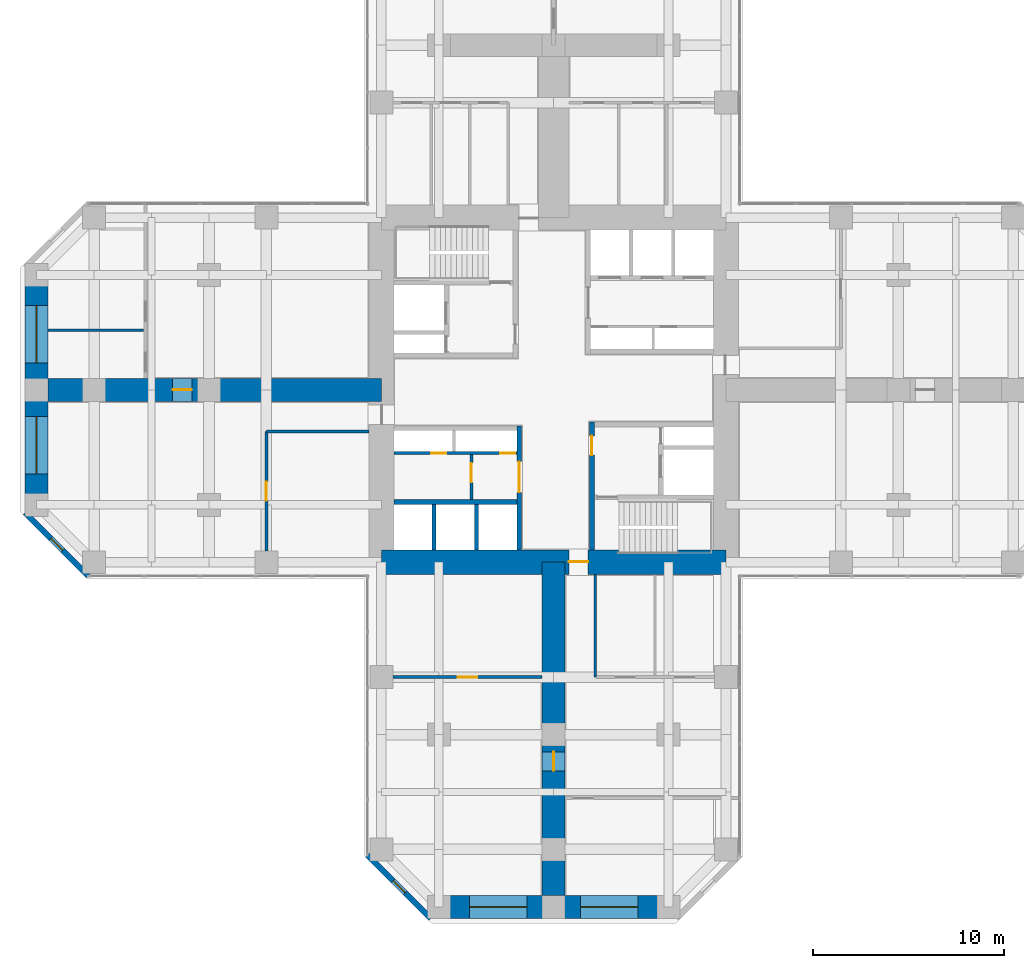
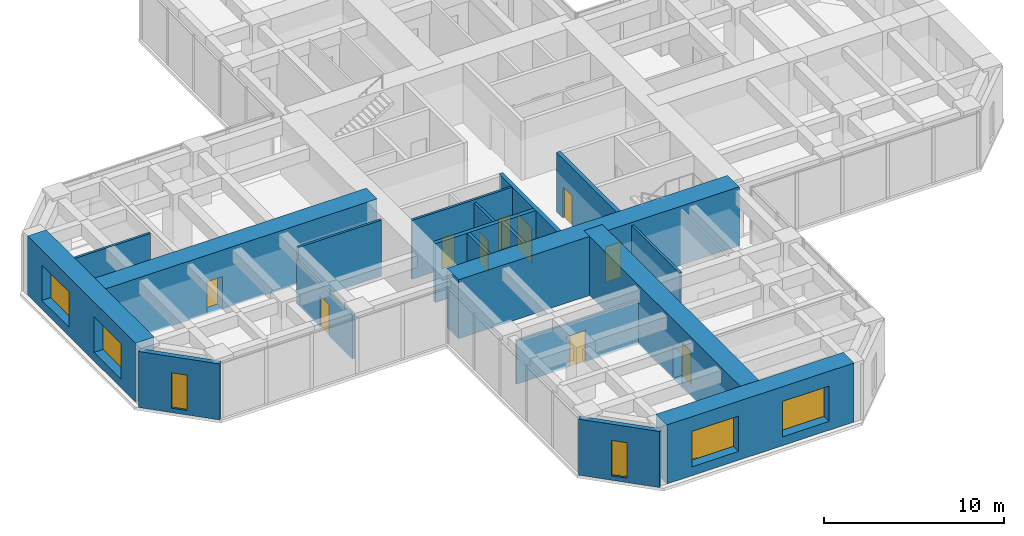
# One storey, part 8 of 12: 19 walls, 10 doors, 6 windows, 16 openings.
"""IFC4 building model written with IfcOpenShell, lengths in metres."""

from ifc_helpers import new_model, si_unit, direction, frame, frame_2d, origin, place, context, subcontext, project, spatial, rectangle, hollow_rectangle, extrude, material, layer, layer_set, constituent, constituent_set, type_object, element, fill, save


model = new_model("IFC4")

# Units and contexts
model_context = context("Model", 3, precision=1e-05, world=origin(), true_north=direction((0.0, 1.0)))
body_context = subcontext(model_context, "Body", "Model", "MODEL_VIEW")
ifc_project = project(units=[si_unit("LENGTHUNIT", "METRE"), si_unit("AREAUNIT", "SQUARE_METRE"), si_unit("VOLUMEUNIT", "CUBIC_METRE"), si_unit("PLANEANGLEUNIT", "RADIAN"), si_unit("MASSUNIT", "GRAM", prefix="KILO")], contexts=[model_context])

# Site, building, storey
site_placement = place(None, origin())
site = spatial("IfcSite", under=ifc_project, at=site_placement, CompositionType="ELEMENT")
building_placement = place(site_placement, origin())
building = spatial("IfcBuilding", under=site, at=building_placement, Name="Torre Cruceta", CompositionType="ELEMENT")
storey_placement = place(building_placement, frame((0.0, 0.0, 75.5)))
storey = spatial("IfcBuildingStorey", under=building, at=storey_placement, Name="L18", CompositionType="ELEMENT", Elevation=75.5)

# Wall, opening, door
ifc_material_1 = material(Name="Concrete G60 (fck 60 MPa)", Category="concrete")
ifc_layer_1 = layer(ifc_material_1, 0.25)
ifc_layer_set_1 = layer_set([ifc_layer_1], Name="Concrete G60 (fck 60 MPa)")
wall_type_1 = type_object("IfcWallType", Name="CORE INNER WALL 250 G60", PredefinedType="SHEAR", material=ifc_layer_set_1)
wall_1_placement = place(storey_placement, frame((-1.800048828125, -1.875, 0.0), z_axis=(0.0, 0.0, 1.0), x_axis=(0.0, -1.0, 0.0)))
wall_1 = element("IfcWall", 1, at=wall_1_placement, inside=storey, type_object=wall_type_1, Name="CW4 L18 SW-CU", PredefinedType="SHEAR", context=body_context, shape_type="SweptSolid", body=[
    extrude(rectangle(XDim=6.47509765625, YDim=0.25, at=frame_2d((3.237548828125, 0.0))), origin(), (0.0, 0.0, 1.0), 4.0),
])
opening_1_placement = place(wall_1_placement, frame((1.875, 0.0, 0.0)))
opening_1 = element("IfcOpeningElement", 2, at=opening_1_placement, cuts=wall_1, Name="Opening D15", PredefinedType="OPENING", context=body_context, shape_type="SweptSolid", body=[
    extrude(rectangle(XDim=1.60009765625, YDim=2.39990234375, at=frame_2d((0.800048828125, 1.199951171875))), frame((0.0, 0.135009765625, 0.0), z_axis=(0.0, -1.0, 0.0), x_axis=(1.0, 0.0, 0.0)), (0.0, 0.0, 1.0), 0.27001953125),
])
ifc_material_2 = material(Name="Steel DX51D", Category="steel")
ifc_constituent_1 = constituent(ifc_material_2, Name="Leaf and frame")
ifc_material_3 = material(Name="Polyester powder coating", Category="paint")
ifc_constituent_2 = constituent(ifc_material_3, Name="Finish")
ifc_constituent_set_1 = constituent_set(constituents=[ifc_constituent_1, ifc_constituent_2], Name="Steel fire door")
door_type_1 = type_object("IfcDoorType", Name="CORE ROOM DOUBLE DOOR 1600X2400", OperationType="DOUBLE_DOOR_SINGLE_SWING", PredefinedType="DOOR", material=ifc_constituent_set_1)
door_1_placement = place(opening_1_placement, frame((1.60009765625, 0.0, 0.0), z_axis=(0.0, 0.0, 1.0), x_axis=(-1.0, 0.0, 0.0)))
door_1 = element("IfcDoor", 3, at=door_1_placement, inside=storey, type_object=door_type_1, Name="D15 L18 SW-LOBBY", OperationType="DOUBLE_DOOR_SINGLE_SWING", OverallHeight=2.39990234375, OverallWidth=1.60009765625, PredefinedType="DOOR", context=body_context, shape_type="SweptSolid", body=[
    extrude(rectangle(XDim=1.60009765625, YDim=2.39990234375, at=frame_2d((0.800048828125, 1.199951171875))), frame((0.0, 0.025146484375, 0.0), z_axis=(0.0, -1.0, 0.0), x_axis=(1.0, 0.0, 0.0)), (0.0, 0.0, 1.0), 0.050048828125),
])
fill(opening_1, door_1)

# Wall
wall_2_placement = place(storey_placement, frame((-1.925048828125, -5.85009765625, 0.0), z_axis=(0.0, 0.0, 1.0), x_axis=(-1.0, 0.0, 0.0)))
element("IfcWall", 4, at=wall_2_placement, inside=storey, type_object=wall_type_1, Name="CW4 L18 SW-LV", PredefinedType="SHEAR", context=body_context, shape_type="SweptSolid", body=[
    extrude(rectangle(XDim=6.425048828125, YDim=0.25, at=frame_2d((3.21240234375, 0.0))), origin(), (0.0, 0.0, 1.0), 4.0),
])

# Wall, opening, door
wall_3_placement = place(storey_placement, frame((2.0, -1.675048828125, 0.0), z_axis=(0.0, 0.0, 1.0), x_axis=(0.0, -1.0, 0.0)))
wall_3 = element("IfcWall", 5, at=wall_3_placement, inside=storey, type_object=wall_type_1, Name="CW4 L18 SE-CU", PredefinedType="SHEAR", context=body_context, shape_type="SweptSolid", body=[
    extrude(rectangle(XDim=6.675048828125, YDim=0.25, at=frame_2d((3.33740234375, 0.0))), origin(), (0.0, 0.0, 1.0), 4.0),
])
opening_2_placement = place(wall_3_placement, frame((0.72509765625, 0.0, 0.0)))
opening_2 = element("IfcOpeningElement", 6, at=opening_2_placement, cuts=wall_3, Name="Opening D3", PredefinedType="OPENING", context=body_context, shape_type="SweptSolid", body=[
    extrude(rectangle(XDim=1.0, YDim=2.10009765625, at=frame_2d((0.5, 1.050048828125))), frame((0.0, 0.135009765625, 0.0), z_axis=(0.0, -1.0, 0.0), x_axis=(1.0, 0.0, 0.0)), (0.0, 0.0, 1.0), 0.27001953125),
])
ifc_material_4 = material(Name="Steel DX51D", Category="steel")
ifc_constituent_3 = constituent(ifc_material_4, Name="Leaf and frame")
ifc_material_5 = material(Name="Polyester powder coating", Category="paint")
ifc_constituent_4 = constituent(ifc_material_5, Name="Finish")
ifc_constituent_set_2 = constituent_set(constituents=[ifc_constituent_3, ifc_constituent_4], Name="Steel fire door")
door_type_2 = type_object("IfcDoorType", Name="FIRE DOOR 1000X2100", OperationType="SINGLE_SWING_LEFT", PredefinedType="DOOR", material=ifc_constituent_set_2)
door_2_placement = place(opening_2_placement, origin())
door_2 = element("IfcDoor", 7, at=door_2_placement, inside=storey, type_object=door_type_2, Name="D3 L18 SE-LOBBY", OperationType="SINGLE_SWING_LEFT", OverallHeight=2.10009765625, OverallWidth=1.0, PredefinedType="DOOR", context=body_context, shape_type="SweptSolid", body=[
    extrude(rectangle(XDim=1.0, YDim=2.10009765625, at=frame_2d((0.5, 1.050048828125))), frame((0.0, 0.02490234375, 0.0), z_axis=(0.0, -1.0, 0.0), x_axis=(1.0, 0.0, 0.0)), (0.0, 0.0, 1.0), 0.050048828125),
])
fill(opening_2, door_2)

ifc_material_6 = material(Name="Concrete G60 (fck 60 MPa)", Category="concrete")
ifc_layer_2 = layer(ifc_material_6, 1.300048828125)
ifc_layer_set_2 = layer_set([ifc_layer_2], Name="Concrete G60 (fck 60 MPa)")
wall_type_2 = type_object("IfcWallType", Name="CORE WALL 1300 G60", PredefinedType="SHEAR", material=ifc_layer_set_2)
wall_4_placement = place(storey_placement, frame((-9.0, -9.0, 0.0), z_axis=(0.0, 0.0, 1.0), x_axis=(1.0, 0.0, 0.0)))
wall_4 = element("IfcWall", 8, at=wall_4_placement, inside=storey, type_object=wall_type_2, Name="CW1 L18 CW-S", PredefinedType="SHEAR", context=body_context, shape_type="SweptSolid", body=[
    extrude(rectangle(XDim=18.0, YDim=1.300048828125, at=frame_2d((9.0, 0.0))), origin(), (0.0, 0.0, 1.0), 4.0),
])
opening_3_placement = place(wall_4_placement, frame((9.800048828125, 0.0, 0.0)))
opening_3 = element("IfcOpeningElement", 9, at=opening_3_placement, cuts=wall_4, Name="Opening D4", PredefinedType="OPENING", context=body_context, shape_type="SweptSolid", body=[
    extrude(rectangle(XDim=1.0, YDim=2.39990234375, at=frame_2d((0.5, 1.199951171875))), frame((0.0, 0.659912109375, 0.0), z_axis=(0.0, -1.0, 0.0), x_axis=(1.0, 0.0, 0.0)), (0.0, 0.0, 1.0), 1.320068359375),
])
ifc_material_7 = material(Name="Steel DX51D", Category="steel")
ifc_constituent_5 = constituent(ifc_material_7, Name="Leaf and frame")
ifc_material_8 = material(Name="Polyester powder coating", Category="paint")
ifc_constituent_6 = constituent(ifc_material_8, Name="Finish")
ifc_constituent_set_3 = constituent_set(constituents=[ifc_constituent_5, ifc_constituent_6], Name="Steel fire door")
door_type_3 = type_object("IfcDoorType", Name="CORE ARM DOOR 1000X2400", OperationType="SINGLE_SWING_RIGHT", PredefinedType="DOOR", material=ifc_constituent_set_3)
door_3_placement = place(opening_3_placement, frame((1.0, 0.0, 0.0), z_axis=(0.0, 0.0, 1.0), x_axis=(-1.0, 0.0, 0.0)))
door_3 = element("IfcDoor", 10, at=door_3_placement, inside=storey, type_object=door_type_3, Name="D4 L18 CW-S", OperationType="SINGLE_SWING_RIGHT", OverallHeight=2.39990234375, OverallWidth=1.0, PredefinedType="DOOR", context=body_context, shape_type="SweptSolid", body=[
    extrude(rectangle(XDim=1.0, YDim=2.39990234375, at=frame_2d((0.5, 1.199951171875))), frame((0.0, -0.005126953125, 0.0), z_axis=(0.0, -1.0, 0.0), x_axis=(1.0, 0.0, 0.0)), (0.0, 0.0, 1.0), 0.050048828125),
])
fill(opening_3, door_3)

# Wall, opening, window
ifc_material_9 = material(Name="Concrete G30 (fck 30 MPa)", Category="concrete")
ifc_layer_3 = layer(ifc_material_9, 0.300048828125)
ifc_layer_set_3 = layer_set([ifc_layer_3], Name="Concrete G30 (fck 30 MPa)")
wall_type_3 = type_object("IfcWallType", Name="EXPOSED CONCRETE FACADE WALL 300", PredefinedType="SOLIDWALL", material=ifc_layer_set_3)
wall_5_placement = place(storey_placement, frame((-27.60009765625, -6.418212890625, 0.0), z_axis=(0.0, 0.0, 1.0), x_axis=(0.707106781187, -0.707106781187, 0.0)))
wall_5 = element("IfcWall", 11, at=wall_5_placement, inside=storey, type_object=wall_type_3, Name="EW1 facade wall L18 W chamfer 13", PredefinedType="SOLIDWALL", context=body_context, shape_type="SweptSolid", body=[
    extrude(rectangle(XDim=4.66943359375, YDim=0.300048828125, at=frame_2d((2.334716796875, 0.0))), origin(), (0.0, 0.0, 1.0), 3.800048828125),
])
opening_4_placement = place(wall_5_placement, frame((1.884765625, 0.0, 0.300048828125)))
opening_4 = element("IfcOpeningElement", 12, at=opening_4_placement, cuts=wall_5, Name="Opening WN5", PredefinedType="OPENING", context=body_context, shape_type="SweptSolid", body=[
    extrude(rectangle(XDim=0.89990234375, YDim=2.39990234375, at=frame_2d((0.449951171875, 1.199951171875))), frame((0.0, 0.159912109375, 0.0), z_axis=(0.0, -1.0, 0.0), x_axis=(1.0, 0.0, 0.0)), (0.0, 0.0, 1.0), 0.320068359375),
])
ifc_material_10 = material(Name="Aluminium window frame", Category="aluminium")
ifc_constituent_7 = constituent(ifc_material_10, Name="Frame")
ifc_material_11 = material(Name="Laminated insulating glass unit, low-iron clear", Category="glass")
ifc_constituent_8 = constituent(ifc_material_11, Name="Glazing")
ifc_constituent_set_4 = constituent_set(constituents=[ifc_constituent_7, ifc_constituent_8], Name="Aluminium window")
window_type_1 = type_object("IfcWindowType", Name="CHAMFER SLOT WINDOW 900X2400", PartitioningType="SINGLE_PANEL", PredefinedType="WINDOW", material=ifc_constituent_set_4)
window_1_placement = place(opening_4_placement, origin())
window_1 = element("IfcWindow", 13, at=window_1_placement, inside=storey, type_object=window_type_1, Name="WN5 L18 W 1", OverallHeight=2.39990234375, OverallWidth=0.89990234375, PartitioningType="SINGLE_PANEL", PredefinedType="WINDOW", context=body_context, shape_type="SweptSolid", body=[
    extrude(hollow_rectangle(XDim=0.89990234375, YDim=2.39990234375, WallThickness=0.06005859375, at=frame_2d((0.449951171875, 1.199951171875))), frame((0.0, 0.030029296875, 0.0), z_axis=(0.0, -1.0, 0.0), x_axis=(1.0, 0.0, 0.0)), (0.0, 0.0, 1.0), 0.06005859375),
    extrude(rectangle(XDim=0.77880859375, YDim=2.27880859375, at=frame_2d((0.449951171875, 1.199951171875))), frame((0.0, 0.030029296875, 0.0), z_axis=(0.0, -1.0, 0.0), x_axis=(1.0, 0.0, 0.0)), (0.0, 0.0, 1.0), 0.06005859375),
])
fill(opening_4, window_1)

wall_6_placement = place(storey_placement, frame((-9.719970703125, -24.29833984375, 0.0), z_axis=(0.0, 0.0, 1.0), x_axis=(0.707106781187, -0.707106781187, 0.0)))
wall_6 = element("IfcWall", 14, at=wall_6_placement, inside=storey, type_object=wall_type_3, Name="EW1 facade wall L18 S chamfer 16", PredefinedType="SOLIDWALL", context=body_context, shape_type="SweptSolid", body=[
    extrude(rectangle(XDim=4.66943359375, YDim=0.300048828125, at=frame_2d((2.334716796875, 0.0))), origin(), (0.0, 0.0, 1.0), 3.800048828125),
])
opening_5_placement = place(wall_6_placement, frame((1.884765625, 0.0, 0.300048828125)))
opening_5 = element("IfcOpeningElement", 15, at=opening_5_placement, cuts=wall_6, Name="Opening WN5", PredefinedType="OPENING", context=body_context, shape_type="SweptSolid", body=[
    extrude(rectangle(XDim=0.89990234375, YDim=2.39990234375, at=frame_2d((0.449951171875, 1.199951171875))), frame((0.0, 0.159912109375, 0.0), z_axis=(0.0, -1.0, 0.0), x_axis=(1.0, 0.0, 0.0)), (0.0, 0.0, 1.0), 0.320068359375),
])
window_2_placement = place(opening_5_placement, origin())
window_2 = element("IfcWindow", 16, at=window_2_placement, inside=storey, type_object=window_type_1, Name="WN5 L18 S 1", OverallHeight=2.39990234375, OverallWidth=0.89990234375, PartitioningType="SINGLE_PANEL", PredefinedType="WINDOW", context=body_context, shape_type="SweptSolid", body=[
    extrude(hollow_rectangle(XDim=0.89990234375, YDim=2.39990234375, WallThickness=0.06005859375, at=frame_2d((0.449951171875, 1.199951171875))), frame((0.0, 0.030029296875, 0.0), z_axis=(0.0, -1.0, 0.0), x_axis=(1.0, 0.0, 0.0)), (0.0, 0.0, 1.0), 0.06005859375),
    extrude(rectangle(XDim=0.77880859375, YDim=2.27880859375, at=frame_2d((0.449951171875, 1.199951171875))), frame((0.0, 0.030029296875, 0.0), z_axis=(0.0, -1.0, 0.0), x_axis=(1.0, 0.0, 0.0)), (0.0, 0.0, 1.0), 0.06005859375),
])
fill(opening_5, window_2)

# Walls
ifc_material_12 = material(Name="Concrete G35 (fck 35 MPa)", Category="concrete")
ifc_layer_4 = layer(ifc_material_12, 0.199951171875)
ifc_layer_set_4 = layer_set([ifc_layer_4], Name="Concrete G35 (fck 35 MPa)")
wall_type_4 = type_object("IfcWallType", Name="LIFT SHAFT WALL 200", PredefinedType="PARTITIONING", material=ifc_layer_set_4)
for number, where, z_axis, x_axis, name in (
    (17, (-4.033447265625, -5.97509765625, 0.0), (0.0, 0.0, 1.0), (0.0, -1.0, 0.0), "SW1 L18 SW-LS1"),
    (18, (-6.24169921875, -5.97509765625, 0.0), (0.0, 0.0, 1.0), (0.0, -1.0, 0.0), "SW1 L18 SW-LS2"),
):
    element("IfcWall", number, at=place(storey_placement, frame(where, z_axis=z_axis, x_axis=x_axis)), inside=storey, type_object=wall_type_4, Name=name, PredefinedType="PARTITIONING", context=body_context, shape_type="SweptSolid", body=[
        extrude(rectangle(XDim=2.375, YDim=0.199951171875, at=frame_2d((1.1875, 0.0))), origin(), (0.0, 0.0, 1.0), 4.0),
    ])

# Wall, openings, windows
ifc_material_13 = material(Name="Concrete G60 (fck 60 MPa)", Category="concrete")
ifc_layer_5 = layer(ifc_material_13, 1.199951171875)
ifc_layer_set_5 = layer_set([ifc_layer_5], Name="Concrete G60 (fck 60 MPa)")
wall_type_5 = type_object("IfcWallType", Name="NOSE WALL 1200 G60", PredefinedType="SHEAR", material=ifc_layer_set_5)
wall_7_placement = place(storey_placement, frame((-6.0, -27.0, 0.0), z_axis=(0.0, 0.0, 1.0), x_axis=(1.0, 0.0, 0.0)))
wall_7 = element("IfcWall", 19, at=wall_7_placement, inside=storey, type_object=wall_type_5, Name="NW1 nose wall L18 S", PredefinedType="SHEAR", context=body_context, shape_type="SweptSolid", body=[
    extrude(rectangle(XDim=12.0, YDim=1.199951171875, at=frame_2d((6.0, 0.0))), origin(), (0.0, 0.0, 1.0), 4.0),
])
opening_6_placement = place(wall_7_placement, frame((1.60009765625, 0.0, 0.60009765625)))
opening_6 = element("IfcOpeningElement", 20, at=opening_6_placement, cuts=wall_7, Name="Opening WN6", PredefinedType="OPENING", context=body_context, shape_type="SweptSolid", body=[
    extrude(rectangle(XDim=3.0, YDim=2.39990234375, at=frame_2d((1.5, 1.199951171875))), frame((0.0, 0.60986328125, 0.0), z_axis=(0.0, -1.0, 0.0), x_axis=(1.0, 0.0, 0.0)), (0.0, 0.0, 1.0), 1.219970703125),
])
opening_7_placement = place(wall_7_placement, frame((7.39990234375, 0.0, 0.60009765625)))
opening_7 = element("IfcOpeningElement", 21, at=opening_7_placement, cuts=wall_7, Name="Opening WN6", PredefinedType="OPENING", context=body_context, shape_type="SweptSolid", body=[
    extrude(rectangle(XDim=3.0, YDim=2.39990234375, at=frame_2d((1.5, 1.199951171875))), frame((0.0, 0.60986328125, 0.0), z_axis=(0.0, -1.0, 0.0), x_axis=(1.0, 0.0, 0.0)), (0.0, 0.0, 1.0), 1.219970703125),
])
ifc_material_14 = material(Name="Aluminium window frame", Category="aluminium")
ifc_constituent_9 = constituent(ifc_material_14, Name="Frame")
ifc_material_15 = material(Name="Laminated insulating glass unit, low-iron clear", Category="glass")
ifc_constituent_10 = constituent(ifc_material_15, Name="Glazing")
ifc_constituent_set_5 = constituent_set(constituents=[ifc_constituent_9, ifc_constituent_10], Name="Aluminium window")
window_type_2 = type_object("IfcWindowType", Name="NOSE WALL WINDOW 3000X2400", PartitioningType="SINGLE_PANEL", PredefinedType="WINDOW", material=ifc_constituent_set_5)
window_3_placement = place(opening_6_placement, origin())
window_3 = element("IfcWindow", 22, at=window_3_placement, inside=storey, type_object=window_type_2, Name="WN6 L18 S 1", OverallHeight=2.39990234375, OverallWidth=3.0, PartitioningType="SINGLE_PANEL", PredefinedType="WINDOW", context=body_context, shape_type="SweptSolid", body=[
    extrude(hollow_rectangle(XDim=3.0, YDim=2.39990234375, WallThickness=0.06005859375, at=frame_2d((1.5, 1.199951171875))), frame((0.0, 0.030029296875, 0.0), z_axis=(0.0, -1.0, 0.0), x_axis=(1.0, 0.0, 0.0)), (0.0, 0.0, 1.0), 0.06005859375),
    extrude(rectangle(XDim=2.87890625, YDim=2.27880859375, at=frame_2d((1.5, 1.199951171875))), frame((0.0, 0.030029296875, 0.0), z_axis=(0.0, -1.0, 0.0), x_axis=(1.0, 0.0, 0.0)), (0.0, 0.0, 1.0), 0.06005859375),
])
fill(opening_6, window_3)
window_4_placement = place(opening_7_placement, origin())
window_4 = element("IfcWindow", 23, at=window_4_placement, inside=storey, type_object=window_type_2, Name="WN6 L18 S 2", OverallHeight=2.39990234375, OverallWidth=3.0, PartitioningType="SINGLE_PANEL", PredefinedType="WINDOW", context=body_context, shape_type="SweptSolid", body=[
    extrude(hollow_rectangle(XDim=3.0, YDim=2.39990234375, WallThickness=0.06005859375, at=frame_2d((1.5, 1.199951171875))), frame((0.0, 0.030029296875, 0.0), z_axis=(0.0, -1.0, 0.0), x_axis=(1.0, 0.0, 0.0)), (0.0, 0.0, 1.0), 0.06005859375),
    extrude(rectangle(XDim=2.87890625, YDim=2.27880859375, at=frame_2d((1.5, 1.199951171875))), frame((0.0, 0.030029296875, 0.0), z_axis=(0.0, -1.0, 0.0), x_axis=(1.0, 0.0, 0.0)), (0.0, 0.0, 1.0), 0.06005859375),
])
fill(opening_7, window_4)

wall_8_placement = place(storey_placement, frame((-27.0, 6.0, 0.0), z_axis=(0.0, 0.0, 1.0), x_axis=(0.0, -1.0, 0.0)))
wall_8 = element("IfcWall", 24, at=wall_8_placement, inside=storey, type_object=wall_type_5, Name="NW1 nose wall L18 W", PredefinedType="SHEAR", context=body_context, shape_type="SweptSolid", body=[
    extrude(rectangle(XDim=12.0, YDim=1.199951171875, at=frame_2d((6.0, 0.0))), origin(), (0.0, 0.0, 1.0), 4.0),
])
opening_8_placement = place(wall_8_placement, frame((1.60009765625, 0.0, 0.60009765625)))
opening_8 = element("IfcOpeningElement", 25, at=opening_8_placement, cuts=wall_8, Name="Opening WN6", PredefinedType="OPENING", context=body_context, shape_type="SweptSolid", body=[
    extrude(rectangle(XDim=3.0, YDim=2.39990234375, at=frame_2d((1.5, 1.199951171875))), frame((0.0, 0.60986328125, 0.0), z_axis=(0.0, -1.0, 0.0), x_axis=(1.0, 0.0, 0.0)), (0.0, 0.0, 1.0), 1.219970703125),
])
opening_9_placement = place(wall_8_placement, frame((7.39990234375, 0.0, 0.60009765625)))
opening_9 = element("IfcOpeningElement", 26, at=opening_9_placement, cuts=wall_8, Name="Opening WN6", PredefinedType="OPENING", context=body_context, shape_type="SweptSolid", body=[
    extrude(rectangle(XDim=3.0, YDim=2.39990234375, at=frame_2d((1.5, 1.199951171875))), frame((0.0, 0.60986328125, 0.0), z_axis=(0.0, -1.0, 0.0), x_axis=(1.0, 0.0, 0.0)), (0.0, 0.0, 1.0), 1.219970703125),
])
window_5_placement = place(opening_8_placement, origin())
window_5 = element("IfcWindow", 27, at=window_5_placement, inside=storey, type_object=window_type_2, Name="WN6 L18 W 1", OverallHeight=2.39990234375, OverallWidth=3.0, PartitioningType="SINGLE_PANEL", PredefinedType="WINDOW", context=body_context, shape_type="SweptSolid", body=[
    extrude(hollow_rectangle(XDim=3.0, YDim=2.39990234375, WallThickness=0.06005859375, at=frame_2d((1.5, 1.199951171875))), frame((0.0, 0.030029296875, 0.0), z_axis=(0.0, -1.0, 0.0), x_axis=(1.0, 0.0, 0.0)), (0.0, 0.0, 1.0), 0.06005859375),
    extrude(rectangle(XDim=2.87890625, YDim=2.27880859375, at=frame_2d((1.5, 1.199951171875))), frame((0.0, 0.030029296875, 0.0), z_axis=(0.0, -1.0, 0.0), x_axis=(1.0, 0.0, 0.0)), (0.0, 0.0, 1.0), 0.06005859375),
])
fill(opening_8, window_5)
window_6_placement = place(opening_9_placement, origin())
window_6 = element("IfcWindow", 28, at=window_6_placement, inside=storey, type_object=window_type_2, Name="WN6 L18 W 2", OverallHeight=2.39990234375, OverallWidth=3.0, PartitioningType="SINGLE_PANEL", PredefinedType="WINDOW", context=body_context, shape_type="SweptSolid", body=[
    extrude(hollow_rectangle(XDim=3.0, YDim=2.39990234375, WallThickness=0.06005859375, at=frame_2d((1.5, 1.199951171875))), frame((0.0, 0.030029296875, 0.0), z_axis=(0.0, -1.0, 0.0), x_axis=(1.0, 0.0, 0.0)), (0.0, 0.0, 1.0), 0.06005859375),
    extrude(rectangle(XDim=2.87890625, YDim=2.27880859375, at=frame_2d((1.5, 1.199951171875))), frame((0.0, 0.030029296875, 0.0), z_axis=(0.0, -1.0, 0.0), x_axis=(1.0, 0.0, 0.0)), (0.0, 0.0, 1.0), 0.06005859375),
])
fill(opening_9, window_6)

# Wall, opening, door
ifc_material_16 = material(Name="Plasterboard on steel studs", Category="steel")
ifc_layer_6 = layer(ifc_material_16, 0.14990234375)
ifc_layer_set_6 = layer_set([ifc_layer_6], Name="Plasterboard on steel studs")
wall_type_6 = type_object("IfcWallType", Name="PARTITION 150", PredefinedType="PARTITIONING", material=ifc_layer_set_6)
wall_9_placement = place(storey_placement, frame((-4.300048828125, -3.375, 0.0), z_axis=(0.0, 0.0, 1.0), x_axis=(0.0, -1.0, 0.0)))
wall_9 = element("IfcWall", 29, at=wall_9_placement, inside=storey, type_object=wall_type_6, Name="PT1 L18-CORE-SW-X", PredefinedType="PARTITIONING", context=body_context, shape_type="SweptSolid", body=[
    extrude(rectangle(XDim=2.35009765625, YDim=0.14990234375, at=frame_2d((1.175048828125, 0.0))), origin(), (0.0, 0.0, 1.0), 3.800048828125),
])
opening_10_placement = place(wall_9_placement, frame((0.449951171875, 0.0, 0.0)))
opening_10 = element("IfcOpeningElement", 30, at=opening_10_placement, cuts=wall_9, Name="Opening D3", PredefinedType="OPENING", context=body_context, shape_type="SweptSolid", body=[
    extrude(rectangle(XDim=1.0, YDim=2.10009765625, at=frame_2d((0.5, 1.050048828125))), frame((0.0, 0.0849609375, 0.0), z_axis=(0.0, -1.0, 0.0), x_axis=(1.0, 0.0, 0.0)), (0.0, 0.0, 1.0), 0.169921875),
])
door_4_placement = place(opening_10_placement, origin())
door_4 = element("IfcDoor", 31, at=door_4_placement, inside=storey, type_object=door_type_2, Name="D3 L18-CORE-SW-X-D1", OperationType="SINGLE_SWING_LEFT", OverallHeight=2.10009765625, OverallWidth=1.0, PredefinedType="DOOR", context=body_context, shape_type="SweptSolid", body=[
    extrude(rectangle(XDim=1.0, YDim=2.10009765625, at=frame_2d((0.5, 1.050048828125))), frame((0.0, 0.02490234375, 0.0), z_axis=(0.0, -1.0, 0.0), x_axis=(1.0, 0.0, 0.0)), (0.0, 0.0, 1.0), 0.050048828125),
])
fill(opening_10, door_4)

# Wall
wall_10_placement = place(storey_placement, frame((2.175048828125, -9.64990234375, 0.0), z_axis=(0.0, 0.0, 1.0), x_axis=(0.0, -1.0, 0.0)))
element("IfcWall", 32, at=wall_10_placement, inside=storey, type_object=wall_type_6, Name="PT1 L18-S-BSL", PredefinedType="PARTITIONING", context=body_context, shape_type="SweptSolid", body=[
    extrude(rectangle(XDim=5.35009765625, YDim=0.14990234375, at=frame_2d((2.675048828125, 0.0))), origin(), (0.0, 0.0, 1.0), 3.800048828125),
])

# Wall, opening, door
wall_11_placement = place(storey_placement, frame((-8.39990234375, -15.0, 0.0), z_axis=(0.0, 0.0, 1.0), x_axis=(1.0, 0.0, 0.0)))
wall_11 = element("IfcWall", 33, at=wall_11_placement, inside=storey, type_object=wall_type_6, Name="PT1 L18-S-BFR", PredefinedType="PARTITIONING", context=body_context, shape_type="SweptSolid", body=[
    extrude(rectangle(XDim=7.7998046875, YDim=0.14990234375, at=frame_2d((3.89990234375, 0.0))), origin(), (0.0, 0.0, 1.0), 2.949951171875),
])
opening_11_placement = place(wall_11_placement, frame((3.39990234375, 0.0, 0.0)))
opening_11 = element("IfcOpeningElement", 34, at=opening_11_placement, cuts=wall_11, Name="Opening D3", PredefinedType="OPENING", context=body_context, shape_type="SweptSolid", body=[
    extrude(rectangle(XDim=1.0, YDim=2.10009765625, at=frame_2d((0.5, 1.050048828125))), frame((0.0, 0.0849609375, 0.0), z_axis=(0.0, -1.0, 0.0), x_axis=(1.0, 0.0, 0.0)), (0.0, 0.0, 1.0), 0.169921875),
])
door_5_placement = place(opening_11_placement, origin())
door_5 = element("IfcDoor", 35, at=door_5_placement, inside=storey, type_object=door_type_2, Name="D3 L18-S-BFR-D1", OperationType="SINGLE_SWING_RIGHT", OverallHeight=2.10009765625, OverallWidth=1.0, PredefinedType="DOOR", context=body_context, shape_type="SweptSolid", body=[
    extrude(rectangle(XDim=1.0, YDim=2.10009765625, at=frame_2d((0.5, 1.050048828125))), frame((0.0, 0.02490234375, 0.0), z_axis=(0.0, -1.0, 0.0), x_axis=(1.0, 0.0, 0.0)), (0.0, 0.0, 1.0), 0.050048828125),
])
fill(opening_11, door_5)

wall_12_placement = place(storey_placement, frame((-15.0, -2.175048828125, 0.0), z_axis=(0.0, 0.0, 1.0), x_axis=(0.0, -1.0, 0.0)))
wall_12 = element("IfcWall", 36, at=wall_12_placement, inside=storey, type_object=wall_type_6, Name="PT1 L18-W-BFL", PredefinedType="PARTITIONING", context=body_context, shape_type="SweptSolid", body=[
    extrude(rectangle(XDim=6.224853515625, YDim=0.14990234375, at=frame_2d((3.1123046875, 0.0))), origin(), (0.0, 0.0, 1.0), 2.949951171875),
])
opening_12_placement = place(wall_12_placement, frame((2.612548828125, 0.0, 0.0)))
opening_12 = element("IfcOpeningElement", 37, at=opening_12_placement, cuts=wall_12, Name="Opening D3", PredefinedType="OPENING", context=body_context, shape_type="SweptSolid", body=[
    extrude(rectangle(XDim=1.0, YDim=2.10009765625, at=frame_2d((0.5, 1.050048828125))), frame((0.0, 0.0849609375, 0.0), z_axis=(0.0, -1.0, 0.0), x_axis=(1.0, 0.0, 0.0)), (0.0, 0.0, 1.0), 0.169921875),
])
door_6_placement = place(opening_12_placement, origin())
door_6 = element("IfcDoor", 38, at=door_6_placement, inside=storey, type_object=door_type_2, Name="D3 L18-W-BFL-D1", OperationType="SINGLE_SWING_LEFT", OverallHeight=2.10009765625, OverallWidth=1.0, PredefinedType="DOOR", context=body_context, shape_type="SweptSolid", body=[
    extrude(rectangle(XDim=1.0, YDim=2.10009765625, at=frame_2d((0.5, 1.050048828125))), frame((0.0, 0.02490234375, 0.0), z_axis=(0.0, -1.0, 0.0), x_axis=(1.0, 0.0, 0.0)), (0.0, 0.0, 1.0), 0.050048828125),
])
fill(opening_12, door_6)

# Walls
wall_13_placement = place(storey_placement, frame((-9.64990234375, -2.175048828125, 0.0), z_axis=(0.0, 0.0, 1.0), x_axis=(-1.0, 0.0, 0.0)))
element("IfcWall", 39, at=wall_13_placement, inside=storey, type_object=wall_type_6, Name="PT1 L18-W-BSL", PredefinedType="PARTITIONING", context=body_context, shape_type="SweptSolid", body=[
    extrude(rectangle(XDim=5.35009765625, YDim=0.14990234375, at=frame_2d((2.675048828125, 0.0))), origin(), (0.0, 0.0, 1.0), 3.800048828125),
])
wall_14_placement = place(storey_placement, frame((-21.419921875, 3.117919921875, 0.0), z_axis=(0.0, 0.0, 1.0), x_axis=(-1.0, 0.0, 0.0)))
element("IfcWall", 40, at=wall_14_placement, inside=storey, type_object=wall_type_6, Name="PT1 L18-W-TDR", PredefinedType="PARTITIONING", context=body_context, shape_type="SweptSolid", body=[
    extrude(rectangle(XDim=4.97998046875, YDim=0.14990234375, at=frame_2d((2.489990234375, 0.0))), origin(), (0.0, 0.0, 1.0), 3.800048828125),
])

# Wall, openings, doors
ifc_material_17 = material(Name="Concrete block masonry", Category="masonry")
ifc_layer_7 = layer(ifc_material_17, 0.14990234375)
ifc_layer_set_7 = layer_set([ifc_layer_7], Name="Concrete block masonry")
wall_type_7 = type_object("IfcWallType", Name="RISER WALL 150", PredefinedType="PARTITIONING", material=ifc_layer_set_7)
wall_15_placement = place(storey_placement, frame((-1.925048828125, -3.300048828125, 0.0), z_axis=(0.0, 0.0, 1.0), x_axis=(-1.0, 0.0, 0.0)))
wall_15 = element("IfcWall", 41, at=wall_15_placement, inside=storey, type_object=wall_type_7, Name="SW7 L18 SW-RV", PredefinedType="PARTITIONING", context=body_context, shape_type="SweptSolid", body=[
    extrude(rectangle(XDim=6.425048828125, YDim=0.14990234375, at=frame_2d((3.21240234375, 0.0))), origin(), (0.0, 0.0, 1.0), 4.0),
])
opening_13_placement = place(wall_15_placement, frame((0.074951171875, 0.0, 0.0)))
opening_13 = element("IfcOpeningElement", 42, at=opening_13_placement, cuts=wall_15, Name="Opening D5", PredefinedType="OPENING", context=body_context, shape_type="SweptSolid", body=[
    extrude(rectangle(XDim=0.800048828125, YDim=2.10009765625, at=frame_2d((0.39990234375, 1.050048828125))), frame((0.0, 0.0849609375, 0.0), z_axis=(0.0, -1.0, 0.0), x_axis=(1.0, 0.0, 0.0)), (0.0, 0.0, 1.0), 0.169921875),
])
opening_14_placement = place(wall_15_placement, frame((3.675048828125, 0.0, 0.0)))
opening_14 = element("IfcOpeningElement", 43, at=opening_14_placement, cuts=wall_15, Name="Opening D5", PredefinedType="OPENING", context=body_context, shape_type="SweptSolid", body=[
    extrude(rectangle(XDim=0.800048828125, YDim=2.10009765625, at=frame_2d((0.39990234375, 1.050048828125))), frame((0.0, 0.0849609375, 0.0), z_axis=(0.0, -1.0, 0.0), x_axis=(1.0, 0.0, 0.0)), (0.0, 0.0, 1.0), 0.169921875),
])
ifc_material_18 = material(Name="Steel DX51D", Category="steel")
ifc_constituent_11 = constituent(ifc_material_18, Name="Leaf and frame")
ifc_material_19 = material(Name="Polyester powder coating", Category="paint")
ifc_constituent_12 = constituent(ifc_material_19, Name="Finish")
ifc_constituent_set_6 = constituent_set(constituents=[ifc_constituent_11, ifc_constituent_12], Name="Steel fire door")
door_type_4 = type_object("IfcDoorType", Name="RISER ACCESS DOOR 800X2100", OperationType="SINGLE_SWING_LEFT", PredefinedType="DOOR", material=ifc_constituent_set_6)
door_7_placement = place(opening_13_placement, frame((0.800048828125, 0.0, 0.0), z_axis=(0.0, 0.0, 1.0), x_axis=(-1.0, 0.0, 0.0)))
door_7 = element("IfcDoor", 44, at=door_7_placement, inside=storey, type_object=door_type_4, Name="D5 L18 SW-RISER1", OperationType="SINGLE_SWING_RIGHT", OverallHeight=2.10009765625, OverallWidth=0.800048828125, PredefinedType="DOOR", context=body_context, shape_type="SweptSolid", body=[
    extrude(rectangle(XDim=0.800048828125, YDim=2.10009765625, at=frame_2d((0.400146484375, 1.050048828125))), frame((0.0, 0.025146484375, 0.0), z_axis=(0.0, -1.0, 0.0), x_axis=(1.0, 0.0, 0.0)), (0.0, 0.0, 1.0), 0.050048828125),
])
fill(opening_13, door_7)
door_8_placement = place(opening_14_placement, frame((0.800048828125, 0.0, 0.0), z_axis=(0.0, 0.0, 1.0), x_axis=(-1.0, 0.0, 0.0)))
door_8 = element("IfcDoor", 45, at=door_8_placement, inside=storey, type_object=door_type_4, Name="D5 L18 SW-RISER2", OperationType="SINGLE_SWING_RIGHT", OverallHeight=2.10009765625, OverallWidth=0.800048828125, PredefinedType="DOOR", context=body_context, shape_type="SweptSolid", body=[
    extrude(rectangle(XDim=0.800048828125, YDim=2.10009765625, at=frame_2d((0.400146484375, 1.050048828125))), frame((0.0, 0.025146484375, 0.0), z_axis=(0.0, -1.0, 0.0), x_axis=(1.0, 0.0, 0.0)), (0.0, 0.0, 1.0), 0.050048828125),
])
fill(opening_14, door_8)

# Wall, opening, door
ifc_material_20 = material(Name="Concrete G60 (fck 60 MPa)", Category="concrete")
ifc_layer_8 = layer(ifc_material_20, 1.199951171875)
ifc_layer_set_8 = layer_set([ifc_layer_8], Name="Concrete G60 (fck 60 MPa)")
wall_type_8 = type_object("IfcWallType", Name="SPINE WALL 1200 G60", PredefinedType="SHEAR", material=ifc_layer_set_8)
wall_16_placement = place(storey_placement, frame((0.0, -9.0, 0.0), z_axis=(0.0, 0.0, 1.0), x_axis=(0.0, -1.0, 0.0)))
wall_16 = element("IfcWall", 46, at=wall_16_placement, inside=storey, type_object=wall_type_8, Name="SW3 spine wall L18 S", PredefinedType="SHEAR", context=body_context, shape_type="SweptSolid", body=[
    extrude(rectangle(XDim=18.0, YDim=1.199951171875, at=frame_2d((9.0, 0.0))), origin(), (0.0, 0.0, 1.0), 4.0),
])
opening_15_placement = place(wall_16_placement, frame((9.89990234375, 0.0, 0.0)))
opening_15 = element("IfcOpeningElement", 47, at=opening_15_placement, cuts=wall_16, Name="Opening D14", PredefinedType="OPENING", context=body_context, shape_type="SweptSolid", body=[
    extrude(rectangle(XDim=1.0, YDim=2.199951171875, at=frame_2d((0.5, 1.10009765625))), frame((0.0, 0.60986328125, 0.0), z_axis=(0.0, -1.0, 0.0), x_axis=(1.0, 0.0, 0.0)), (0.0, 0.0, 1.0), 1.219970703125),
])
ifc_material_21 = material(Name="Steel DX51D", Category="steel")
ifc_constituent_13 = constituent(ifc_material_21, Name="Leaf and frame")
ifc_material_22 = material(Name="Polyester powder coating", Category="paint")
ifc_constituent_14 = constituent(ifc_material_22, Name="Finish")
ifc_material_23 = material(Name="Fire-resisting glass", Category="glass")
ifc_constituent_15 = constituent(ifc_material_23, Name="Vision panel")
ifc_constituent_set_7 = constituent_set(constituents=[ifc_constituent_13, ifc_constituent_14, ifc_constituent_15], Name="Steel fire door with vision panel")
door_type_5 = type_object("IfcDoorType", Name="FIRE DOOR VISION PANEL 1000X2200", OperationType="SINGLE_SWING_RIGHT", PredefinedType="DOOR", material=ifc_constituent_set_7)
door_9_placement = place(opening_15_placement, origin())
door_9 = element("IfcDoor", 48, at=door_9_placement, inside=storey, type_object=door_type_5, Name="D14 L18-S-SP1", OperationType="SINGLE_SWING_RIGHT", OverallHeight=2.199951171875, OverallWidth=1.0, PredefinedType="DOOR", context=body_context, shape_type="SweptSolid", body=[
    extrude(rectangle(XDim=1.0, YDim=2.199951171875, at=frame_2d((0.5, 1.10009765625))), frame((0.0, 0.02490234375, 0.0), z_axis=(0.0, -1.0, 0.0), x_axis=(1.0, 0.0, 0.0)), (0.0, 0.0, 1.0), 0.050048828125),
])
fill(opening_15, door_9)

wall_17_placement = place(storey_placement, frame((-9.0, 0.0, 0.0), z_axis=(0.0, 0.0, 1.0), x_axis=(-1.0, 0.0, 0.0)))
wall_17 = element("IfcWall", 49, at=wall_17_placement, inside=storey, type_object=wall_type_8, Name="SW3 spine wall L18 W", PredefinedType="SHEAR", context=body_context, shape_type="SweptSolid", body=[
    extrude(rectangle(XDim=18.0, YDim=1.199951171875, at=frame_2d((9.0, 0.0))), origin(), (0.0, 0.0, 1.0), 4.0),
])
opening_16_placement = place(wall_17_placement, frame((9.89990234375, 0.0, 0.0)))
opening_16 = element("IfcOpeningElement", 50, at=opening_16_placement, cuts=wall_17, Name="Opening D14", PredefinedType="OPENING", context=body_context, shape_type="SweptSolid", body=[
    extrude(rectangle(XDim=1.0, YDim=2.199951171875, at=frame_2d((0.5, 1.10009765625))), frame((0.0, 0.60986328125, 0.0), z_axis=(0.0, -1.0, 0.0), x_axis=(1.0, 0.0, 0.0)), (0.0, 0.0, 1.0), 1.219970703125),
])
door_10_placement = place(opening_16_placement, frame((1.0, 0.0, 0.0), z_axis=(0.0, 0.0, 1.0), x_axis=(-1.0, 0.0, 0.0)))
door_10 = element("IfcDoor", 51, at=door_10_placement, inside=storey, type_object=door_type_5, Name="D14 L18-W-SP1", OperationType="SINGLE_SWING_LEFT", OverallHeight=2.199951171875, OverallWidth=1.0, PredefinedType="DOOR", context=body_context, shape_type="SweptSolid", body=[
    extrude(rectangle(XDim=1.0, YDim=2.199951171875, at=frame_2d((0.5, 1.10009765625))), frame((0.0, 0.025146484375, 0.0), z_axis=(0.0, -1.0, 0.0), x_axis=(1.0, 0.0, 0.0)), (0.0, 0.0, 1.0), 0.050048828125),
])
fill(opening_16, door_10)

save(model, "model.ifc")
